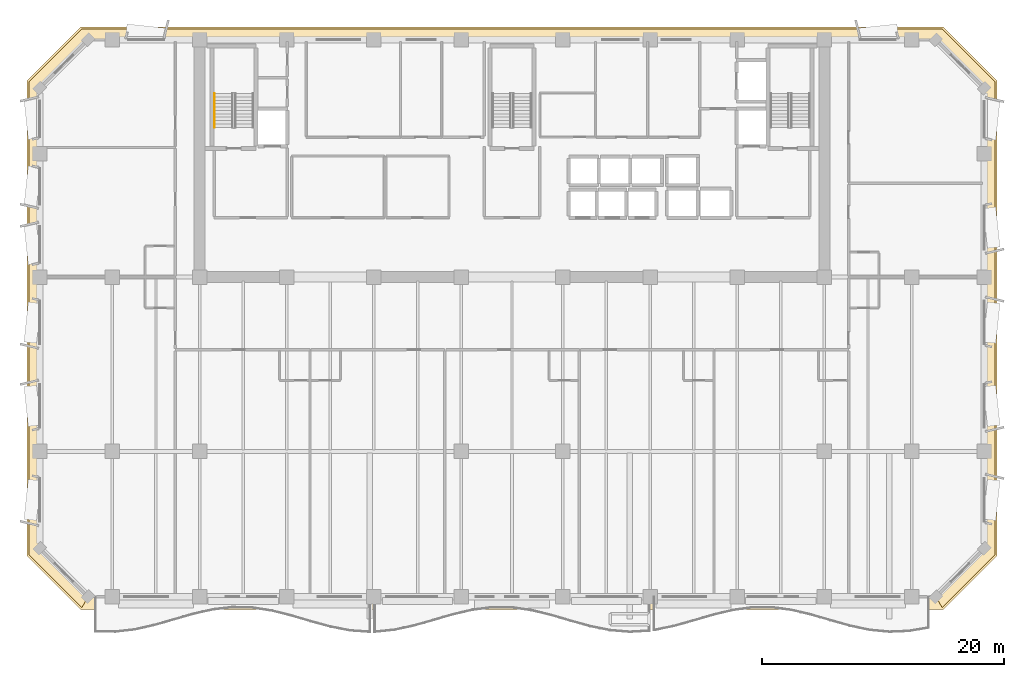
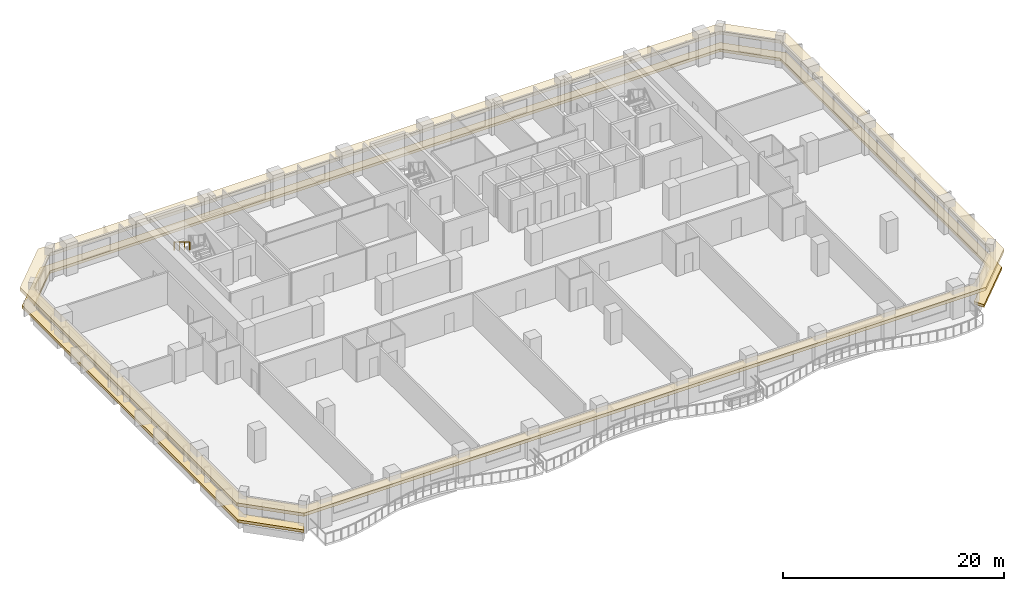
# One storey, part 11 of 14: 2 coverings, 1 railing.
"""IFC4 building model written with IfcOpenShell, lengths in metres."""

from ifc_helpers import new_model, si_unit, direction, frame, origin, origin_2d, place, context, subcontext, project, spatial, polyline, rectangle, outline, extrude, material, layer, layer_set, type_object, element, save


model = new_model("IFC4")

# Units and contexts
model_context = context("Model", 3, precision=1e-05, world=origin(), true_north=direction((0.0, 1.0)))
body_context = subcontext(model_context, "Body", "Model", "MODEL_VIEW")
ifc_project = project(units=[si_unit("LENGTHUNIT", "METRE"), si_unit("AREAUNIT", "SQUARE_METRE"), si_unit("VOLUMEUNIT", "CUBIC_METRE"), si_unit("PLANEANGLEUNIT", "RADIAN"), si_unit("MASSUNIT", "GRAM", prefix="KILO")], contexts=[model_context])

# Site, building, storey
site_placement = place(None, origin())
site = spatial("IfcSite", under=ifc_project, at=site_placement, CompositionType="ELEMENT")
building_placement = place(site_placement, origin())
building = spatial("IfcBuilding", under=site, at=building_placement, Name="Kaelvorn Grand Hotel", CompositionType="ELEMENT")
storey_placement = place(building_placement, frame((0.0, 0.0, 209.14990234375)))
storey = spatial("IfcBuildingStorey", under=building, at=storey_placement, Name="L51", CompositionType="ELEMENT", Elevation=209.14990234375)

# Coverings
ifc_material_1 = material(Name="Precast concrete C45/55", Category="concrete")
ifc_layer_1 = layer(ifc_material_1, 0.260009765625)
ifc_layer_set_1 = layer_set([ifc_layer_1], Name="Precast concrete C45/55")
covering_type_1 = type_object("IfcCoveringType", Name="COV-BAND-STREAMLINE-HEAD", PredefinedType="CLADDING", material=ifc_layer_set_1)
covering_1_placement = place(storey_placement, frame((0.0, 0.0, 2.380126953125)))
element("IfcCovering", 1, at=covering_1_placement, inside=storey, type_object=covering_type_1, Name="L51 Streamline Moderne Wraparound Horizontal Eyebrow Band", PredefinedType="CLADDING", context=body_context, shape_type="SweptSolid", body=[
    extrude(outline(polyline([(6.389892578125, 1.949951171875), (77.610107421875, 1.949951171875), (82.050048828125, 6.389892578125), (82.050048828125, 45.610107421875), (77.610107421875, 50.050048828125), (6.389892578125, 50.050048828125), (1.949951171875, 45.610107421875), (1.949951171875, 6.389892578125), (6.389892578125, 1.949951171875)]), holes=[polyline([(7.02001953125, 3.030029296875), (76.97998046875, 3.030029296875), (80.969970703125, 7.02001953125), (80.969970703125, 44.97998046875), (76.97998046875, 48.969970703125), (7.02001953125, 48.969970703125), (3.030029296875, 44.97998046875), (3.030029296875, 7.02001953125), (7.02001953125, 3.030029296875)])]), origin(), (0.0, 0.0, 1.0), 0.35986328125),
])
ifc_layer_2 = layer(ifc_material_1, 0.219970703125)
ifc_layer_set_2 = layer_set([ifc_layer_2], Name="Precast concrete C45/55")
covering_type_2 = type_object("IfcCoveringType", Name="COV-BAND-STREAMLINE-SILL", PredefinedType="CLADDING", material=ifc_layer_set_2)
covering_2_placement = place(storey_placement, frame((0.0, 0.0, 0.4501953125)))
element("IfcCovering", 2, at=covering_2_placement, inside=storey, type_object=covering_type_2, Name="L51 Streamline Moderne Wraparound Horizontal Sill Spandrel Band", PredefinedType="CLADDING", context=body_context, shape_type="SweptSolid", body=[
    extrude(outline(polyline([(77.515380859375, 2.1201171875), (81.8798828125, 6.484619140625), (81.8798828125, 45.515380859375), (77.515380859375, 49.8798828125), (6.484619140625, 49.8798828125), (2.1201171875, 45.515380859375), (2.1201171875, 6.484619140625), (6.484619140625, 2.1201171875), (7.017578125, 3.030029296875), (3.030029296875, 7.017578125), (3.030029296875, 44.982421875), (7.017578125, 48.969970703125), (76.982421875, 48.969970703125), (80.969970703125, 44.982421875), (80.969970703125, 7.017578125), (76.982421875, 3.030029296875), (77.515380859375, 2.1201171875)])), origin(), (0.0, 0.0, 1.0), 0.2998046875),
])

# Railing
ifc_material_2 = material(Name="Stainless Steel", Category="steel")
railing_type = type_object("IfcRailingType", Name="RL-HANDRAIL-900", PredefinedType="HANDRAIL", material=ifc_material_2)
railing_placement = place(storey_placement, frame((17.449951171875, 44.56005859375, 2.07275390625)))
element("IfcRailing", 3, at=railing_placement, inside=storey, type_object=railing_type, Name="L51 ST1 stair handrail 2", PredefinedType="HANDRAIL", context=body_context, shape_type="SweptSolid", body=[
    extrude(rectangle(XDim=0.048095703125, YDim=0.048095703125, at=origin_2d()), frame((0.0, 0.0, 0.8759765625), z_axis=(0.0, -0.851089632645, 0.525020415988), x_axis=(1.0, 0.0, 0.0)), (0.0, 0.0, 1.0), 3.2900390625),
    extrude(rectangle(XDim=0.0419921875, YDim=0.0419921875, at=origin_2d()), origin(), (0.0, 0.0, 1.0), 0.851806640625),
    extrude(rectangle(XDim=0.0419921875, YDim=0.0419921875, at=origin_2d()), frame((0.0, -0.933349609375, 0.57568359375)), (0.0, 0.0, 1.0), 0.851806640625),
    extrude(rectangle(XDim=0.0419921875, YDim=0.0419921875, at=origin_2d()), frame((0.0, -1.86669921875, 1.151611328125)), (0.0, 0.0, 1.0), 0.851806640625),
    extrude(rectangle(XDim=0.0419921875, YDim=0.0419921875, at=origin_2d()), frame((0.0, -2.800048828125, 1.727294921875)), (0.0, 0.0, 1.0), 0.851806640625),
])

save(model, "model.ifc")
